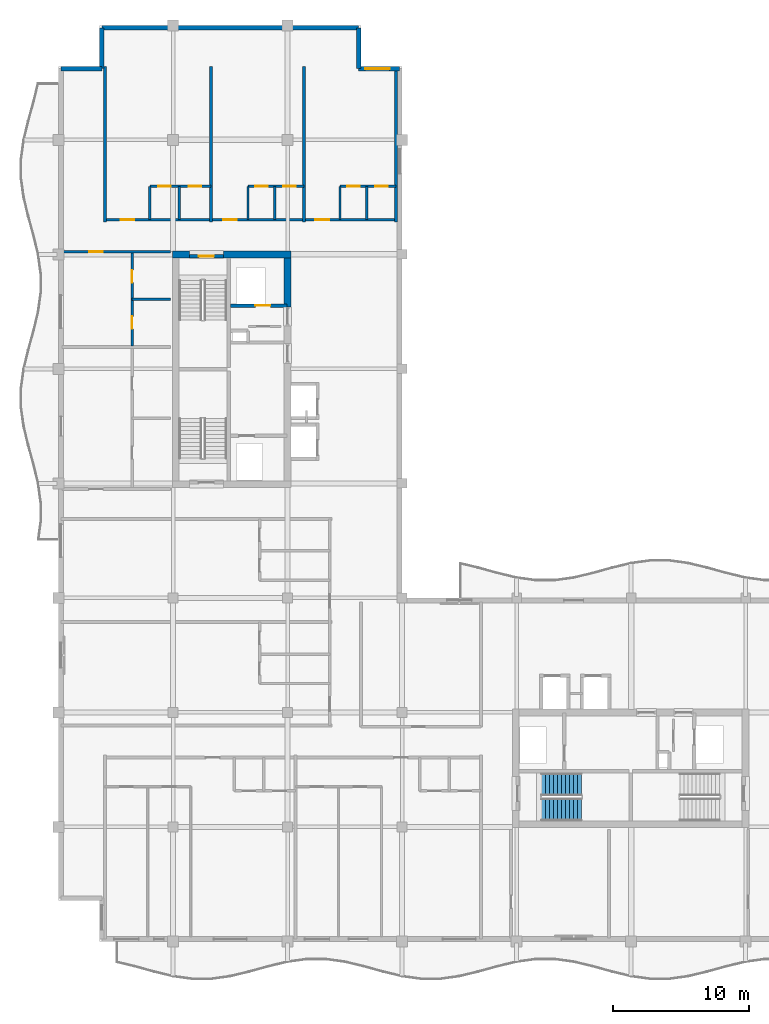
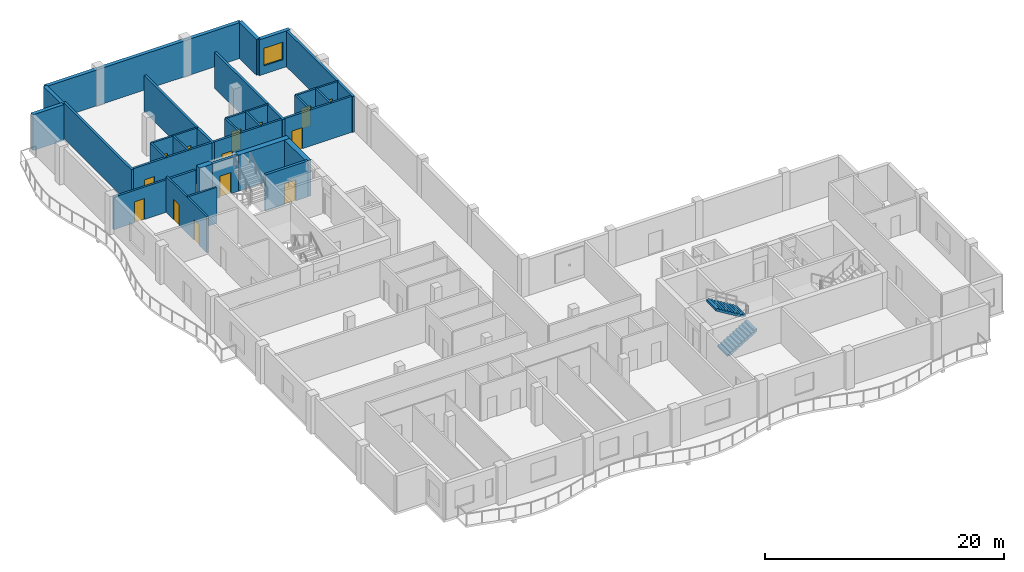
# One storey, part 7 of 12: 27 walls, 14 doors, 2 stair flights, 1 window, 15 openings, 1 element without a shape of its own.
"""IFC4 building model written with IfcOpenShell, lengths in metres."""

from ifc_helpers import new_model, si_unit, direction, frame, frame_2d, origin, place, context, subcontext, project, spatial, polyline, rectangle, outline, extrude, material, layer, layer_set, type_object, element, fill, aggregate, save


model = new_model("IFC4")

# Units and contexts
model_context = context("Model", 3, precision=1e-05, world=origin(), true_north=direction((0.0, 1.0)))
body_context = subcontext(model_context, "Body", "Model", "MODEL_VIEW")
ifc_project = project(units=[si_unit("LENGTHUNIT", "METRE"), si_unit("AREAUNIT", "SQUARE_METRE"), si_unit("VOLUMEUNIT", "CUBIC_METRE"), si_unit("PLANEANGLEUNIT", "RADIAN"), si_unit("MASSUNIT", "GRAM", prefix="KILO")], contexts=[model_context])

# Site, building, storey
site_placement = place(None, origin())
site = spatial("IfcSite", under=ifc_project, at=site_placement, CompositionType="ELEMENT")
building_placement = place(site_placement, origin())
building = spatial("IfcBuilding", under=site, at=building_placement, Name="Koriwani Terraces Tower", CompositionType="ELEMENT")
storey_placement = place(building_placement, frame((0.0, 0.0, 328.10009765625)))
storey = spatial("IfcBuildingStorey", under=building, at=storey_placement, Name="L81", CompositionType="ELEMENT", Elevation=328.10009765625)

# Walls
ifc_material_1 = material(Name="Concrete C50/60", Category="concrete")
ifc_layer_1 = layer(ifc_material_1, 0.5, Name="Concrete C50/60")
ifc_layer_set_1 = layer_set([ifc_layer_1], Name="Concrete C50/60")
wall_type_1 = type_object("IfcWallType", Name="WALL_CORE_RC_500", PredefinedType="SHEAR", material=ifc_layer_set_1)
wall_1_placement = place(storey_placement, frame((16.75, 58.800048828125, 0.0), z_axis=(0.0, 0.0, 1.0), x_axis=(1.0, 0.0, 0.0)))
element("IfcWall", 1, at=wall_1_placement, inside=storey, type_object=wall_type_1, Name="L81 West Split Core Shear Wall N1", PredefinedType="SHEAR", context=body_context, shape_type="SweptSolid", body=[
    extrude(rectangle(XDim=1.25, YDim=0.5, at=frame_2d((0.625, 0.0))), origin(), (0.0, 0.0, 1.0), 3.669921875),
])
wall_2_placement = place(storey_placement, frame((20.5, 58.800048828125, 0.0), z_axis=(0.0, 0.0, 1.0), x_axis=(1.0, 0.0, 0.0)))
element("IfcWall", 2, at=wall_2_placement, inside=storey, type_object=wall_type_1, Name="L81 West Split Core Shear Wall N2", PredefinedType="SHEAR", context=body_context, shape_type="SweptSolid", body=[
    extrude(rectangle(XDim=4.949951171875, YDim=0.5, at=frame_2d((2.47509765625, 0.0))), origin(), (0.0, 0.0, 1.0), 3.669921875),
])
wall_3_placement = place(storey_placement, frame((25.199951171875, 54.949951171875, 0.0), z_axis=(0.0, 0.0, 1.0), x_axis=(0.0, 1.0, 0.0)))
element("IfcWall", 3, at=wall_3_placement, inside=storey, type_object=wall_type_1, Name="L81 West Split Core Shear Wall E3", PredefinedType="SHEAR", context=body_context, shape_type="SweptSolid", body=[
    extrude(rectangle(XDim=3.60009765625, YDim=0.5, at=frame_2d((1.800048828125, 0.0))), origin(), (0.0, 0.0, 1.0), 3.669921875),
])

# Wall, opening, door
ifc_material_2 = material(Name="Autoclaved Cellular Concrete Blockwork", Category="masonry")
ifc_layer_2 = layer(ifc_material_2, 0.199951171875, Name="Autoclaved Cellular Concrete Blockwork")
ifc_layer_set_2 = layer_set([ifc_layer_2], Name="Autoclaved Cellular Concrete Blockwork")
wall_type_2 = type_object("IfcWallType", Name="WALL_CORRIDOR_200", PredefinedType="PARTITIONING", material=ifc_layer_set_2)
wall_4_placement = place(storey_placement, frame((8.64990234375, 59.0, 0.0), z_axis=(0.0, 0.0, 1.0), x_axis=(1.0, 0.0, 0.0)))
wall_4 = element("IfcWall", 4, at=wall_4_placement, inside=storey, type_object=wall_type_2, Name="L81 Interior Wall WRZ4-WN-L81", PredefinedType="PARTITIONING", context=body_context, shape_type="SweptSolid", body=[
    extrude(rectangle(XDim=7.9501953125, YDim=0.199951171875, at=frame_2d((3.97509765625, 0.0))), origin(), (0.0, 0.0, 1.0), 3.31591796875),
])
opening_1_placement = place(wall_4_placement, frame((2.0, 0.0, 0.0)))
opening_1 = element("IfcOpeningElement", 5, at=opening_1_placement, cuts=wall_4, Name="Opening D-05", PredefinedType="OPENING", context=body_context, shape_type="SweptSolid", body=[
    extrude(rectangle(XDim=1.0, YDim=2.14990234375, at=frame_2d((0.5, 1.074951171875))), frame((0.0, 0.10986328125, 0.0), z_axis=(0.0, -1.0, 0.0), x_axis=(1.0, 0.0, 0.0)), (0.0, 0.0, 1.0), 0.219970703125),
])
ifc_material_3 = material(Name="Architectural Oak Fire Door", Category="wood")
door_type_1 = type_object("IfcDoorType", Name="DOOR_SUITE_ENTRY_1000X2150", OperationType="NOTDEFINED", PredefinedType="DOOR", material=ifc_material_3)
door_1_placement = place(opening_1_placement, origin())
door_1 = element("IfcDoor", 6, at=door_1_placement, inside=storey, type_object=door_type_1, Name="Apartment 81RW2 Entrance Door", OperationType="SINGLE_SWING_LEFT", OverallHeight=2.14990234375, OverallWidth=1.0, PredefinedType="DOOR", context=body_context, shape_type="SweptSolid", body=[
    extrude(rectangle(XDim=1.0, YDim=2.14990234375, at=frame_2d((0.5, 1.074951171875))), frame((0.0, 0.02490234375, 0.0), z_axis=(0.0, -1.0, 0.0), x_axis=(1.0, 0.0, 0.0)), (0.0, 0.0, 1.0), 0.050048828125),
])
fill(opening_1, door_1)

# Wall, openings, doors
wall_5_placement = place(storey_placement, frame((11.800048828125, 61.35009765625, 0.0), z_axis=(0.0, 0.0, 1.0), x_axis=(1.0, 0.0, 0.0)))
wall_5 = element("IfcWall", 7, at=wall_5_placement, inside=storey, type_object=wall_type_2, Name="L81 Interior Wall WRCOR-L81-NTS-0", PredefinedType="PARTITIONING", context=body_context, shape_type="SweptSolid", body=[
    extrude(rectangle(XDim=21.349853515625, YDim=0.199951171875, at=frame_2d((10.6748046875, 0.0))), origin(), (0.0, 0.0, 1.0), 3.669921875),
])
opening_2_placement = place(wall_5_placement, frame((1.169921875, 0.0, 0.0)))
opening_2 = element("IfcOpeningElement", 8, at=opening_2_placement, cuts=wall_5, Name="Opening D-05", PredefinedType="OPENING", context=body_context, shape_type="SweptSolid", body=[
    extrude(rectangle(XDim=1.0, YDim=2.14990234375, at=frame_2d((0.5, 1.074951171875))), frame((0.0, 0.10986328125, 0.0), z_axis=(0.0, -1.0, 0.0), x_axis=(1.0, 0.0, 0.0)), (0.0, 0.0, 1.0), 0.219970703125),
])
opening_3_placement = place(wall_5_placement, frame((8.669921875, 0.0, 0.0)))
opening_3 = element("IfcOpeningElement", 9, at=opening_3_placement, cuts=wall_5, Name="Opening D-05", PredefinedType="OPENING", context=body_context, shape_type="SweptSolid", body=[
    extrude(rectangle(XDim=1.0, YDim=2.14990234375, at=frame_2d((0.5, 1.074951171875))), frame((0.0, 0.10986328125, 0.0), z_axis=(0.0, -1.0, 0.0), x_axis=(1.0, 0.0, 0.0)), (0.0, 0.0, 1.0), 0.219970703125),
])
opening_4_placement = place(wall_5_placement, frame((15.445068359375, 0.0, 0.0)))
opening_4 = element("IfcOpeningElement", 10, at=opening_4_placement, cuts=wall_5, Name="Opening D-05", PredefinedType="OPENING", context=body_context, shape_type="SweptSolid", body=[
    extrude(rectangle(XDim=1.0, YDim=2.14990234375, at=frame_2d((0.5, 1.074951171875))), frame((0.0, 0.10986328125, 0.0), z_axis=(0.0, -1.0, 0.0), x_axis=(1.0, 0.0, 0.0)), (0.0, 0.0, 1.0), 0.219970703125),
])
door_2_placement = place(opening_2_placement, origin())
door_2 = element("IfcDoor", 11, at=door_2_placement, inside=storey, type_object=door_type_1, Name="Apartment 81NTS1 Entrance Door", OperationType="SINGLE_SWING_RIGHT", OverallHeight=2.14990234375, OverallWidth=1.0, PredefinedType="DOOR", context=body_context, shape_type="SweptSolid", body=[
    extrude(rectangle(XDim=1.0, YDim=2.14990234375, at=frame_2d((0.5, 1.074951171875))), frame((0.0, 0.02490234375, 0.0), z_axis=(0.0, -1.0, 0.0), x_axis=(1.0, 0.0, 0.0)), (0.0, 0.0, 1.0), 0.050048828125),
])
fill(opening_2, door_2)
door_3_placement = place(opening_3_placement, origin())
door_3 = element("IfcDoor", 12, at=door_3_placement, inside=storey, type_object=door_type_1, Name="Apartment 81NTS2 Entrance Door", OperationType="SINGLE_SWING_LEFT", OverallHeight=2.14990234375, OverallWidth=1.0, PredefinedType="DOOR", context=body_context, shape_type="SweptSolid", body=[
    extrude(rectangle(XDim=1.0, YDim=2.14990234375, at=frame_2d((0.5, 1.074951171875))), frame((0.0, 0.02490234375, 0.0), z_axis=(0.0, -1.0, 0.0), x_axis=(1.0, 0.0, 0.0)), (0.0, 0.0, 1.0), 0.050048828125),
])
fill(opening_3, door_3)
door_4_placement = place(opening_4_placement, origin())
door_4 = element("IfcDoor", 13, at=door_4_placement, inside=storey, type_object=door_type_1, Name="Apartment 81NTS3 Entrance Door", OperationType="SINGLE_SWING_RIGHT", OverallHeight=2.14990234375, OverallWidth=1.0, PredefinedType="DOOR", context=body_context, shape_type="SweptSolid", body=[
    extrude(rectangle(XDim=1.0, YDim=2.14990234375, at=frame_2d((0.5, 1.074951171875))), frame((0.0, 0.02490234375, 0.0), z_axis=(0.0, -1.0, 0.0), x_axis=(1.0, 0.0, 0.0)), (0.0, 0.0, 1.0), 0.050048828125),
])
fill(opening_4, door_4)

# Walls
ifc_layer_3 = layer(ifc_material_2, 0.219970703125, Name="Autoclaved Cellular Concrete Blockwork")
ifc_layer_set_3 = layer_set([ifc_layer_3], Name="Autoclaved Cellular Concrete Blockwork")
wall_type_3 = type_object("IfcWallType", Name="WALL_DEMISING_220", PredefinedType="PARTITIONING", material=ifc_layer_set_3)
for number, where, z_axis, x_axis, name in (
    (14, (11.800048828125, 61.199951171875, 0.0), (0.0, 0.0, 1.0), (0.0, 1.0, 0.0), "L81 Interior Wall WRDEM-L81-NTS-0"),
    (15, (19.60009765625, 61.199951171875, 0.0), (0.0, 0.0, 1.0), (0.0, 1.0, 0.0), "L81 Interior Wall WRDEM-L81-NTS-1"),
    (16, (26.39990234375, 61.199951171875, 0.0), (0.0, 0.0, 1.0), (0.0, 1.0, 0.0), "L81 Interior Wall WRDEM-L81-NTS-2"),
    (17, (33.14990234375, 61.199951171875, 0.0), (0.0, 0.0, 1.0), (0.0, 1.0, 0.0), "L81 Interior Wall WRDEME-L81-NTS"),
):
    element("IfcWall", number, at=place(storey_placement, frame(where, z_axis=z_axis, x_axis=x_axis)), inside=storey, type_object=wall_type_3, Name=name, PredefinedType="PARTITIONING", context=body_context, shape_type="SweptSolid", body=[
        extrude(rectangle(XDim=11.380126953125, YDim=0.219970703125, at=frame_2d((5.68994140625, 0.0))), origin(), (0.0, 0.0, 1.0), 3.669921875),
    ])
ifc_layer_4 = layer(ifc_material_1, 0.35009765625, Name="Concrete C50/60")
ifc_layer_set_4 = layer_set([ifc_layer_4], Name="Concrete C50/60")
wall_type_4 = type_object("IfcWallType", Name="WALL_EXT_BRUTALIST_350", PredefinedType="STANDARD", material=ifc_layer_set_4)
for number, where, z_axis, x_axis, name in (
    (18, (8.574951171875, 72.425048828125, 0.0), (0.0, 0.0, 1.0), (1.0, 0.0, 0.0), "L81 Fair-Faced Brutalist Exterior Wall (N3)"),
    (19, (11.574951171875, 72.425048828125, 0.0), (0.0, 0.0, 1.0), (0.0, 1.0, 0.0), "L81 Fair-Faced Brutalist Exterior Wall (N4)"),
):
    element("IfcWall", number, at=place(storey_placement, frame(where, z_axis=z_axis, x_axis=x_axis)), inside=storey, type_object=wall_type_4, Name=name, PredefinedType="STANDARD", context=body_context, shape_type="SweptSolid", body=[
        extrude(rectangle(XDim=3.0, YDim=0.35009765625, at=frame_2d((1.5, 0.0))), origin(), (0.0, 0.0, 1.0), 3.669921875),
    ])
wall_6_placement = place(storey_placement, frame((11.574951171875, 75.425048828125, 0.0), z_axis=(0.0, 0.0, 1.0), x_axis=(1.0, 0.0, 0.0)))
element("IfcWall", 20, at=wall_6_placement, inside=storey, type_object=wall_type_4, Name="L81 Fair-Faced Brutalist Exterior Wall (N_TIP)", PredefinedType="STANDARD", context=body_context, shape_type="SweptSolid", body=[
    extrude(rectangle(XDim=18.85009765625, YDim=0.35009765625, at=frame_2d((9.425048828125, 0.0))), origin(), (0.0, 0.0, 1.0), 3.669921875),
])
wall_7_placement = place(storey_placement, frame((30.425048828125, 75.425048828125, 0.0), z_axis=(0.0, 0.0, 1.0), x_axis=(0.0, -1.0, 0.0)))
element("IfcWall", 21, at=wall_7_placement, inside=storey, type_object=wall_type_4, Name="L81 Fair-Faced Brutalist Exterior Wall (N6)", PredefinedType="STANDARD", context=body_context, shape_type="SweptSolid", body=[
    extrude(rectangle(XDim=3.0, YDim=0.35009765625, at=frame_2d((1.5, 0.0))), origin(), (0.0, 0.0, 1.0), 3.669921875),
])

# Wall, opening, window
wall_8_placement = place(storey_placement, frame((30.425048828125, 72.425048828125, 0.0), z_axis=(0.0, 0.0, 1.0), x_axis=(1.0, 0.0, 0.0)))
wall_8 = element("IfcWall", 22, at=wall_8_placement, inside=storey, type_object=wall_type_4, Name="L81 Fair-Faced Brutalist Exterior Wall (N7)", PredefinedType="STANDARD", context=body_context, shape_type="SweptSolid", body=[
    extrude(rectangle(XDim=3.0, YDim=0.35009765625, at=frame_2d((1.5, 0.0))), origin(), (0.0, 0.0, 1.0), 3.669921875),
])
opening_5_placement = place(wall_8_placement, frame((0.472412109375, 0.0, 0.85009765625)))
opening_5 = element("IfcOpeningElement", 23, at=opening_5_placement, cuts=wall_8, Name="Opening W-04", PredefinedType="OPENING", context=body_context, shape_type="SweptSolid", body=[
    extrude(rectangle(XDim=1.800048828125, YDim=1.800048828125, at=frame_2d((0.89990234375, 0.89990234375))), frame((0.0, 0.18505859375, 0.0), z_axis=(0.0, -1.0, 0.0), x_axis=(1.0, 0.0, 0.0)), (0.0, 0.0, 1.0), 0.3701171875),
])
ifc_material_4 = material(Name="Tempered Laminated Low-E Glass", Category="glass")
window_type = type_object("IfcWindowType", Name="WIN_RES_BED_1800X1800", PartitioningType="DOUBLE_PANEL_VERTICAL", PredefinedType="WINDOW", material=ifc_material_4)
window_placement = place(opening_5_placement, origin())
window = element("IfcWindow", 24, at=window_placement, inside=storey, type_object=window_type, Name="L81 Exterior Window (N7-R54)", OverallHeight=1.800048828125, OverallWidth=1.800048828125, PartitioningType="SINGLE_PANEL", PredefinedType="WINDOW", context=body_context, shape_type="SweptSolid", body=[
    extrude(rectangle(XDim=1.800048828125, YDim=1.800048828125, at=frame_2d((0.89990234375, 0.89990234375))), frame((0.0, 0.030029296875, 0.0), z_axis=(0.0, -1.0, 0.0), x_axis=(1.0, 0.0, 0.0)), (0.0, 0.0, 1.0), 0.06005859375),
])
fill(opening_5, window)

# Wall, openings, doors
ifc_material_5 = material(Name="Fire-Rated Acoustic Gypsum Partition", Category="masonry")
ifc_layer_5 = layer(ifc_material_5, 0.179931640625, Name="Fire-Rated Acoustic Gypsum Partition")
ifc_layer_set_5 = layer_set([ifc_layer_5], Name="Fire-Rated Acoustic Gypsum Partition")
wall_type_5 = type_object("IfcWallType", Name="WALL_PLUMBING_180", PredefinedType="PLUMBINGWALL", material=ifc_layer_set_5)
wall_9_placement = place(storey_placement, frame((13.800048828125, 52.10009765625, 0.0), z_axis=(0.0, 0.0, 1.0), x_axis=(0.0, 1.0, 0.0)))
wall_9 = element("IfcWall", 25, at=wall_9_placement, inside=storey, type_object=wall_type_5, Name="L81 Interior Wall WRZ4-RW2-PB-L81", PredefinedType="PLUMBINGWALL", context=body_context, shape_type="SweptSolid", body=[
    extrude(rectangle(XDim=6.7998046875, YDim=0.179931640625, at=frame_2d((3.39990234375, 0.0))), origin(), (0.0, 0.0, 1.0), 3.669921875),
])
opening_6_placement = place(wall_9_placement, frame((1.25, 0.0, 0.0)))
opening_6 = element("IfcOpeningElement", 26, at=opening_6_placement, cuts=wall_9, Name="Opening D-07", PredefinedType="OPENING", context=body_context, shape_type="SweptSolid", body=[
    extrude(rectangle(XDim=0.89990234375, YDim=2.10009765625, at=frame_2d((0.449951171875, 1.050048828125))), frame((0.0, 0.10009765625, 0.0), z_axis=(0.0, -1.0, 0.0), x_axis=(1.0, 0.0, 0.0)), (0.0, 0.0, 1.0), 0.199951171875),
])
opening_7_placement = place(wall_9_placement, frame((4.639892578125, 0.0, 0.0)))
opening_7 = element("IfcOpeningElement", 27, at=opening_7_placement, cuts=wall_9, Name="Opening D-06", PredefinedType="OPENING", context=body_context, shape_type="SweptSolid", body=[
    extrude(rectangle(XDim=0.919921875, YDim=2.10009765625, at=frame_2d((0.4599609375, 1.050048828125))), frame((0.0, 0.10009765625, 0.0), z_axis=(0.0, -1.0, 0.0), x_axis=(1.0, 0.0, 0.0)), (0.0, 0.0, 1.0), 0.199951171875),
])
door_type_2 = type_object("IfcDoorType", Name="DOOR_BATH_INT_900X2100", OperationType="NOTDEFINED", PredefinedType="DOOR", material=ifc_material_3)
door_5_placement = place(opening_6_placement, origin())
door_5 = element("IfcDoor", 28, at=door_5_placement, inside=storey, type_object=door_type_2, Name="Apartment 81RW2 Bathroom Door", OperationType="SINGLE_SWING_RIGHT", OverallHeight=2.10009765625, OverallWidth=0.89990234375, PredefinedType="DOOR", context=body_context, shape_type="SweptSolid", body=[
    extrude(rectangle(XDim=0.89990234375, YDim=2.10009765625, at=frame_2d((0.449951171875, 1.050048828125))), frame((0.0, 0.02490234375, 0.0), z_axis=(0.0, -1.0, 0.0), x_axis=(1.0, 0.0, 0.0)), (0.0, 0.0, 1.0), 0.050048828125),
])
fill(opening_6, door_5)
door_type_3 = type_object("IfcDoorType", Name="DOOR_ROOM_INT_920X2100", OperationType="NOTDEFINED", PredefinedType="DOOR", material=ifc_material_3)
door_6_placement = place(opening_7_placement, origin())
door_6 = element("IfcDoor", 29, at=door_6_placement, inside=storey, type_object=door_type_3, Name="Apartment 81RW2 Kitchen Door", OperationType="SINGLE_SWING_LEFT", OverallHeight=2.10009765625, OverallWidth=0.919921875, PredefinedType="DOOR", context=body_context, shape_type="SweptSolid", body=[
    extrude(rectangle(XDim=0.919921875, YDim=2.10009765625, at=frame_2d((0.4599609375, 1.050048828125))), frame((0.0, 0.02490234375, 0.0), z_axis=(0.0, -1.0, 0.0), x_axis=(1.0, 0.0, 0.0)), (0.0, 0.0, 1.0), 0.050048828125),
])
fill(opening_7, door_6)

# Wall
wall_10_placement = place(storey_placement, frame((13.800048828125, 55.5, 0.0), z_axis=(0.0, 0.0, 1.0), x_axis=(1.0, 0.0, 0.0)))
element("IfcWall", 30, at=wall_10_placement, inside=storey, type_object=wall_type_5, Name="L81 Interior Wall WRZ4-RW2-P2-L81", PredefinedType="PLUMBINGWALL", context=body_context, shape_type="SweptSolid", body=[
    extrude(rectangle(XDim=2.800048828125, YDim=0.179931640625, at=frame_2d((1.39990234375, 0.0))), origin(), (0.0, 0.0, 1.0), 3.669921875),
])

# Wall, openings, doors
wall_11_placement = place(storey_placement, frame((15.10009765625, 63.800048828125, 0.0), z_axis=(0.0, 0.0, 1.0), x_axis=(1.0, 0.0, 0.0)))
wall_11 = element("IfcWall", 31, at=wall_11_placement, inside=storey, type_object=wall_type_5, Name="L81 Interior Wall WRSVC-L81-NTS-0", PredefinedType="PLUMBINGWALL", context=body_context, shape_type="SweptSolid", body=[
    extrude(rectangle(XDim=4.5, YDim=0.179931640625, at=frame_2d((2.25, 0.0))), origin(), (0.0, 0.0, 1.0), 3.669921875),
])
opening_8_placement = place(wall_11_placement, frame((0.6298828125, 0.0, 0.0)))
opening_8 = element("IfcOpeningElement", 32, at=opening_8_placement, cuts=wall_11, Name="Opening D-07", PredefinedType="OPENING", context=body_context, shape_type="SweptSolid", body=[
    extrude(rectangle(XDim=0.89990234375, YDim=2.10009765625, at=frame_2d((0.449951171875, 1.050048828125))), frame((0.0, 0.10009765625, 0.0), z_axis=(0.0, -1.0, 0.0), x_axis=(1.0, 0.0, 0.0)), (0.0, 0.0, 1.0), 0.199951171875),
])
opening_9_placement = place(wall_11_placement, frame((2.8701171875, 0.0, 0.0)))
opening_9 = element("IfcOpeningElement", 33, at=opening_9_placement, cuts=wall_11, Name="Opening D-06", PredefinedType="OPENING", context=body_context, shape_type="SweptSolid", body=[
    extrude(rectangle(XDim=0.919921875, YDim=2.10009765625, at=frame_2d((0.4599609375, 1.050048828125))), frame((0.0, 0.10009765625, 0.0), z_axis=(0.0, -1.0, 0.0), x_axis=(1.0, 0.0, 0.0)), (0.0, 0.0, 1.0), 0.199951171875),
])
door_7_placement = place(opening_8_placement, origin())
door_7 = element("IfcDoor", 34, at=door_7_placement, inside=storey, type_object=door_type_2, Name="Apartment 81NTS1 Bathroom Door", OperationType="SINGLE_SWING_LEFT", OverallHeight=2.10009765625, OverallWidth=0.89990234375, PredefinedType="DOOR", context=body_context, shape_type="SweptSolid", body=[
    extrude(rectangle(XDim=0.89990234375, YDim=2.10009765625, at=frame_2d((0.449951171875, 1.050048828125))), frame((0.0, 0.02490234375, 0.0), z_axis=(0.0, -1.0, 0.0), x_axis=(1.0, 0.0, 0.0)), (0.0, 0.0, 1.0), 0.050048828125),
])
fill(opening_8, door_7)
door_8_placement = place(opening_9_placement, origin())
door_8 = element("IfcDoor", 35, at=door_8_placement, inside=storey, type_object=door_type_3, Name="Apartment 81NTS1 Kitchen Door", OperationType="SINGLE_SWING_RIGHT", OverallHeight=2.10009765625, OverallWidth=0.919921875, PredefinedType="DOOR", context=body_context, shape_type="SweptSolid", body=[
    extrude(rectangle(XDim=0.919921875, YDim=2.10009765625, at=frame_2d((0.4599609375, 1.050048828125))), frame((0.0, 0.02490234375, 0.0), z_axis=(0.0, -1.0, 0.0), x_axis=(1.0, 0.0, 0.0)), (0.0, 0.0, 1.0), 0.050048828125),
])
fill(opening_9, door_8)

# Walls
for number, where, z_axis, x_axis, name in (
    (36, (15.10009765625, 61.35009765625, 0.0), (0.0, 0.0, 1.0), (0.0, 1.0, 0.0), "L81 Interior Wall WRSVCS-L81-NTS-0"),
    (37, (17.260009765625, 61.35009765625, 0.0), (0.0, 0.0, 1.0), (0.0, 1.0, 0.0), "L81 Interior Wall WRSVCM-L81-NTS-0"),
):
    element("IfcWall", number, at=place(storey_placement, frame(where, z_axis=z_axis, x_axis=x_axis)), inside=storey, type_object=wall_type_5, Name=name, PredefinedType="PLUMBINGWALL", context=body_context, shape_type="SweptSolid", body=[
        extrude(rectangle(XDim=2.449951171875, YDim=0.179931640625, at=frame_2d((1.22509765625, 0.0))), origin(), (0.0, 0.0, 1.0), 3.669921875),
    ])

# Wall, openings, doors
wall_12_placement = place(storey_placement, frame((22.300048828125, 63.800048828125, 0.0), z_axis=(0.0, 0.0, 1.0), x_axis=(1.0, 0.0, 0.0)))
wall_12 = element("IfcWall", 38, at=wall_12_placement, inside=storey, type_object=wall_type_5, Name="L81 Interior Wall WRSVC-L81-NTS-1", PredefinedType="PLUMBINGWALL", context=body_context, shape_type="SweptSolid", body=[
    extrude(rectangle(XDim=4.099853515625, YDim=0.179931640625, at=frame_2d((2.0498046875, 0.0))), origin(), (0.0, 0.0, 1.0), 3.669921875),
])
opening_10_placement = place(wall_12_placement, frame((0.533935546875, 0.0, 0.0)))
opening_10 = element("IfcOpeningElement", 39, at=opening_10_placement, cuts=wall_12, Name="Opening D-07", PredefinedType="OPENING", context=body_context, shape_type="SweptSolid", body=[
    extrude(rectangle(XDim=0.89990234375, YDim=2.10009765625, at=frame_2d((0.449951171875, 1.050048828125))), frame((0.0, 0.10009765625, 0.0), z_axis=(0.0, -1.0, 0.0), x_axis=(1.0, 0.0, 0.0)), (0.0, 0.0, 1.0), 0.199951171875),
])
opening_11_placement = place(wall_12_placement, frame((2.573974609375, 0.0, 0.0)))
opening_11 = element("IfcOpeningElement", 40, at=opening_11_placement, cuts=wall_12, Name="Opening D-06", PredefinedType="OPENING", context=body_context, shape_type="SweptSolid", body=[
    extrude(rectangle(XDim=0.919921875, YDim=2.10009765625, at=frame_2d((0.4599609375, 1.050048828125))), frame((0.0, 0.10009765625, 0.0), z_axis=(0.0, -1.0, 0.0), x_axis=(1.0, 0.0, 0.0)), (0.0, 0.0, 1.0), 0.199951171875),
])
door_9_placement = place(opening_10_placement, origin())
door_9 = element("IfcDoor", 41, at=door_9_placement, inside=storey, type_object=door_type_2, Name="Apartment 81NTS2 Bathroom Door", OperationType="SINGLE_SWING_RIGHT", OverallHeight=2.10009765625, OverallWidth=0.89990234375, PredefinedType="DOOR", context=body_context, shape_type="SweptSolid", body=[
    extrude(rectangle(XDim=0.89990234375, YDim=2.10009765625, at=frame_2d((0.449951171875, 1.050048828125))), frame((0.0, 0.02490234375, 0.0), z_axis=(0.0, -1.0, 0.0), x_axis=(1.0, 0.0, 0.0)), (0.0, 0.0, 1.0), 0.050048828125),
])
fill(opening_10, door_9)
door_10_placement = place(opening_11_placement, origin())
door_10 = element("IfcDoor", 42, at=door_10_placement, inside=storey, type_object=door_type_3, Name="Apartment 81NTS2 Kitchen Door", OperationType="SINGLE_SWING_LEFT", OverallHeight=2.10009765625, OverallWidth=0.919921875, PredefinedType="DOOR", context=body_context, shape_type="SweptSolid", body=[
    extrude(rectangle(XDim=0.919921875, YDim=2.10009765625, at=frame_2d((0.4599609375, 1.050048828125))), frame((0.0, 0.02490234375, 0.0), z_axis=(0.0, -1.0, 0.0), x_axis=(1.0, 0.0, 0.0)), (0.0, 0.0, 1.0), 0.050048828125),
])
fill(opening_11, door_10)

# Walls
for number, where, z_axis, x_axis, name in (
    (43, (22.300048828125, 61.35009765625, 0.0), (0.0, 0.0, 1.0), (0.0, 1.0, 0.0), "L81 Interior Wall WRSVCS-L81-NTS-1"),
    (44, (24.26806640625, 61.35009765625, 0.0), (0.0, 0.0, 1.0), (0.0, 1.0, 0.0), "L81 Interior Wall WRSVCM-L81-NTS-1"),
):
    element("IfcWall", number, at=place(storey_placement, frame(where, z_axis=z_axis, x_axis=x_axis)), inside=storey, type_object=wall_type_5, Name=name, PredefinedType="PLUMBINGWALL", context=body_context, shape_type="SweptSolid", body=[
        extrude(rectangle(XDim=2.449951171875, YDim=0.179931640625, at=frame_2d((1.22509765625, 0.0))), origin(), (0.0, 0.0, 1.0), 3.669921875),
    ])

# Wall, openings, doors
wall_13_placement = place(storey_placement, frame((29.050048828125, 63.800048828125, 0.0), z_axis=(0.0, 0.0, 1.0), x_axis=(1.0, 0.0, 0.0)))
wall_13 = element("IfcWall", 45, at=wall_13_placement, inside=storey, type_object=wall_type_5, Name="L81 Interior Wall WRSVC-L81-NTS-2", PredefinedType="PLUMBINGWALL", context=body_context, shape_type="SweptSolid", body=[
    extrude(rectangle(XDim=4.099853515625, YDim=0.179931640625, at=frame_2d((2.0498046875, 0.0))), origin(), (0.0, 0.0, 1.0), 3.669921875),
])
opening_12_placement = place(wall_13_placement, frame((0.533935546875, 0.0, 0.0)))
opening_12 = element("IfcOpeningElement", 46, at=opening_12_placement, cuts=wall_13, Name="Opening D-07", PredefinedType="OPENING", context=body_context, shape_type="SweptSolid", body=[
    extrude(rectangle(XDim=0.89990234375, YDim=2.10009765625, at=frame_2d((0.449951171875, 1.050048828125))), frame((0.0, 0.10009765625, 0.0), z_axis=(0.0, -1.0, 0.0), x_axis=(1.0, 0.0, 0.0)), (0.0, 0.0, 1.0), 0.199951171875),
])
opening_13_placement = place(wall_13_placement, frame((2.573974609375, 0.0, 0.0)))
opening_13 = element("IfcOpeningElement", 47, at=opening_13_placement, cuts=wall_13, Name="Opening D-06", PredefinedType="OPENING", context=body_context, shape_type="SweptSolid", body=[
    extrude(rectangle(XDim=0.919921875, YDim=2.10009765625, at=frame_2d((0.4599609375, 1.050048828125))), frame((0.0, 0.10009765625, 0.0), z_axis=(0.0, -1.0, 0.0), x_axis=(1.0, 0.0, 0.0)), (0.0, 0.0, 1.0), 0.199951171875),
])
door_11_placement = place(opening_12_placement, origin())
door_11 = element("IfcDoor", 48, at=door_11_placement, inside=storey, type_object=door_type_2, Name="Apartment 81NTS3 Bathroom Door", OperationType="SINGLE_SWING_LEFT", OverallHeight=2.10009765625, OverallWidth=0.89990234375, PredefinedType="DOOR", context=body_context, shape_type="SweptSolid", body=[
    extrude(rectangle(XDim=0.89990234375, YDim=2.10009765625, at=frame_2d((0.449951171875, 1.050048828125))), frame((0.0, 0.02490234375, 0.0), z_axis=(0.0, -1.0, 0.0), x_axis=(1.0, 0.0, 0.0)), (0.0, 0.0, 1.0), 0.050048828125),
])
fill(opening_12, door_11)
door_12_placement = place(opening_13_placement, origin())
door_12 = element("IfcDoor", 49, at=door_12_placement, inside=storey, type_object=door_type_3, Name="Apartment 81NTS3 Kitchen Door", OperationType="SINGLE_SWING_RIGHT", OverallHeight=2.10009765625, OverallWidth=0.919921875, PredefinedType="DOOR", context=body_context, shape_type="SweptSolid", body=[
    extrude(rectangle(XDim=0.919921875, YDim=2.10009765625, at=frame_2d((0.4599609375, 1.050048828125))), frame((0.0, 0.02490234375, 0.0), z_axis=(0.0, -1.0, 0.0), x_axis=(1.0, 0.0, 0.0)), (0.0, 0.0, 1.0), 0.050048828125),
])
fill(opening_13, door_12)

# Walls
for number, where, z_axis, x_axis, name in (
    (50, (29.050048828125, 61.35009765625, 0.0), (0.0, 0.0, 1.0), (0.0, 1.0, 0.0), "L81 Interior Wall WRSVCS-L81-NTS-2"),
    (51, (31.01806640625, 61.35009765625, 0.0), (0.0, 0.0, 1.0), (0.0, 1.0, 0.0), "L81 Interior Wall WRSVCM-L81-NTS-2"),
):
    element("IfcWall", number, at=place(storey_placement, frame(where, z_axis=z_axis, x_axis=x_axis)), inside=storey, type_object=wall_type_5, Name=name, PredefinedType="PLUMBINGWALL", context=body_context, shape_type="SweptSolid", body=[
        extrude(rectangle(XDim=2.449951171875, YDim=0.179931640625, at=frame_2d((1.22509765625, 0.0))), origin(), (0.0, 0.0, 1.0), 3.669921875),
    ])

# Wall, opening, door
ifc_material_6 = material(Name="Concrete C40/50", Category="concrete")
ifc_layer_6 = layer(ifc_material_6, 0.25, Name="Concrete C40/50")
ifc_layer_set_6 = layer_set([ifc_layer_6], Name="Concrete C40/50")
wall_type_6 = type_object("IfcWallType", Name="WALL_SHAFT_RATED_250", PredefinedType="SOLIDWALL", material=ifc_layer_set_6)
wall_14_placement = place(storey_placement, frame((18.0, 58.675048828125, 0.0), z_axis=(0.0, 0.0, 1.0), x_axis=(1.0, 0.0, 0.0)))
wall_14 = element("IfcWall", 52, at=wall_14_placement, inside=storey, type_object=wall_type_6, Name="L81 Interior Wall WIN-CW-L81-STN", PredefinedType="SOLIDWALL", context=body_context, shape_type="SweptSolid", body=[
    extrude(rectangle(XDim=2.5, YDim=0.25, at=frame_2d((1.25, 0.0))), origin(), (0.0, 0.0, 1.0), 3.669921875),
])
opening_14_placement = place(wall_14_placement, frame((0.699951171875, 0.0, 0.0)))
opening_14 = element("IfcOpeningElement", 53, at=opening_14_placement, cuts=wall_14, Name="Opening D-03", PredefinedType="OPENING", context=body_context, shape_type="SweptSolid", body=[
    extrude(rectangle(XDim=1.10009765625, YDim=2.14990234375, at=frame_2d((0.550048828125, 1.074951171875))), frame((0.0, 0.135009765625, 0.0), z_axis=(0.0, -1.0, 0.0), x_axis=(1.0, 0.0, 0.0)), (0.0, 0.0, 1.0), 0.27001953125),
])
ifc_material_7 = material(Name="Steel ASTM A572 Grade 50", Category="steel")
door_type_4 = type_object("IfcDoorType", Name="DOOR_STAIR_FIRE_1100X2150", OperationType="NOTDEFINED", PredefinedType="DOOR", material=ifc_material_7)
door_13_placement = place(opening_14_placement, origin())
door_13 = element("IfcDoor", 54, at=door_13_placement, inside=storey, type_object=door_type_4, Name="L81 Exit Stair ST-W2 Door", OperationType="SINGLE_SWING_RIGHT", OverallHeight=2.14990234375, OverallWidth=1.10009765625, PredefinedType="DOOR", context=body_context, shape_type="SweptSolid", body=[
    extrude(rectangle(XDim=1.10009765625, YDim=2.14990234375, at=frame_2d((0.550048828125, 1.074951171875))), frame((0.0, 0.02490234375, 0.0), z_axis=(0.0, -1.0, 0.0), x_axis=(1.0, 0.0, 0.0)), (0.0, 0.0, 1.0), 0.050048828125),
])
fill(opening_14, door_13)

wall_15_placement = place(storey_placement, frame((21.0, 55.050048828125, 0.0), z_axis=(0.0, 0.0, 1.0), x_axis=(1.0, 0.0, 0.0)))
wall_15 = element("IfcWall", 55, at=wall_15_placement, inside=storey, type_object=wall_type_6, Name="L81 Interior Wall WIN-CW-L81-SE", PredefinedType="SOLIDWALL", context=body_context, shape_type="SweptSolid", body=[
    extrude(rectangle(XDim=4.14990234375, YDim=0.25, at=frame_2d((2.074951171875, 0.0))), origin(), (0.0, 0.0, 1.0), 3.669921875),
])
opening_15_placement = place(wall_15_placement, frame((1.85009765625, 0.0, 0.0)))
opening_15 = element("IfcOpeningElement", 56, at=opening_15_placement, cuts=wall_15, Name="Opening LD-01", PredefinedType="OPENING", context=body_context, shape_type="SweptSolid", body=[
    extrude(rectangle(XDim=1.10009765625, YDim=2.14990234375, at=frame_2d((0.550048828125, 1.074951171875))), frame((0.0, 0.135009765625, 0.0), z_axis=(0.0, -1.0, 0.0), x_axis=(1.0, 0.0, 0.0)), (0.0, 0.0, 1.0), 0.27001953125),
])
door_type_5 = type_object("IfcDoorType", Name="DOOR_LIFT_LANDING_1100X2200", OperationType="NOTDEFINED", PredefinedType="DOOR", material=ifc_material_7)
door_14_placement = place(opening_15_placement, origin())
door_14 = element("IfcDoor", 57, at=door_14_placement, inside=storey, type_object=door_type_5, Name="L81 Goods Lift SE-01 Landing Door", OperationType="SLIDING_TO_LEFT", OverallHeight=2.14990234375, OverallWidth=1.10009765625, PredefinedType="DOOR", context=body_context, shape_type="SweptSolid", body=[
    extrude(rectangle(XDim=1.10009765625, YDim=2.14990234375, at=frame_2d((0.550048828125, 1.074951171875))), frame((0.0, 0.02490234375, 0.0), z_axis=(0.0, -1.0, 0.0), x_axis=(1.0, 0.0, 0.0)), (0.0, 0.0, 1.0), 0.050048828125),
])
fill(opening_15, door_14)

# Stair, stair flights
stair_type = type_object("IfcStairType", Name="STAIR_CORE_DOGLEG_1650", PredefinedType="TWO_STRAIGHT_RUN_STAIR", material=ifc_material_6)
stair_placement = place(storey_placement, origin())
stair = element("IfcStair", 58, at=stair_placement, inside=storey, type_object=stair_type, Name="L81 East Core Exit Stair 1", PredefinedType="HALF_TURN_STAIR")
stair_flight_type = type_object("IfcStairFlightType", Name="STAIR_FLIGHT_RC_1650", PredefinedType="STRAIGHT", material=ifc_material_6)
stair_flight_1_placement = place(storey_placement, frame((43.85009765625, 18.074951171875, 0.0), z_axis=(0.0, 0.0, 1.0), x_axis=(1.0, 0.0, 0.0)))
stair_flight_1 = element("IfcStairFlight", 59, at=stair_flight_1_placement, type_object=stair_flight_type, Name="ST-E1 flight 1", NumberOfRisers=11, NumberOfTreads=10, PredefinedType="STRAIGHT", RiserHeight=0.177272727, TreadLength=0.29, context=body_context, shape_type="SweptSolid", body=[
    extrude(outline(polyline([(0.0, 0.0), (0.0, 0.17724609375), (0.2900390625, 0.17724609375), (0.2900390625, 0.3544921875), (0.580078125, 0.3544921875), (0.580078125, 0.53173828125), (0.8701171875, 0.53173828125), (0.8701171875, 0.708984375), (1.159912109375, 0.708984375), (1.159912109375, 0.886474609375), (1.449951171875, 0.886474609375), (1.449951171875, 1.063720703125), (1.739990234375, 1.063720703125), (1.739990234375, 1.240966796875), (2.030029296875, 1.240966796875), (2.030029296875, 1.418212890625), (2.320068359375, 1.418212890625), (2.320068359375, 1.595458984375), (2.610107421875, 1.595458984375), (2.610107421875, 1.772705078125), (2.89990234375, 1.772705078125), (2.89990234375, 1.949951171875), (2.89990234375, 1.561767578125), (0.344970703125, 0.0), (0.0, 0.0)])), frame((0.0, 0.824951171875, 0.0), z_axis=(0.0, -1.0, 0.0), x_axis=(1.0, 0.0, 0.0)), (0.0, 0.0, 1.0), 1.64990234375),
])
stair_flight_2_placement = place(storey_placement, frame((46.75, 19.925048828125, 1.949951171875), z_axis=(0.0, 0.0, 1.0), x_axis=(-1.0, 0.0, 0.0)))
stair_flight_2 = element("IfcStairFlight", 60, at=stair_flight_2_placement, type_object=stair_flight_type, Name="ST-E1 flight 2", NumberOfRisers=11, NumberOfTreads=10, PredefinedType="STRAIGHT", RiserHeight=0.177272727, TreadLength=0.29, context=body_context, shape_type="SweptSolid", body=[
    extrude(outline(polyline([(0.0, 0.0), (0.0, 0.17724609375), (0.2900390625, 0.17724609375), (0.2900390625, 0.3544921875), (0.580078125, 0.3544921875), (0.580078125, 0.53173828125), (0.8701171875, 0.53173828125), (0.8701171875, 0.708984375), (1.159912109375, 0.708984375), (1.159912109375, 0.886474609375), (1.449951171875, 0.886474609375), (1.449951171875, 1.063720703125), (1.739990234375, 1.063720703125), (1.739990234375, 1.240966796875), (2.030029296875, 1.240966796875), (2.030029296875, 1.418212890625), (2.320068359375, 1.418212890625), (2.320068359375, 1.595458984375), (2.610107421875, 1.595458984375), (2.610107421875, 1.772705078125), (2.89990234375, 1.772705078125), (2.89990234375, 1.949951171875), (2.89990234375, 1.561767578125), (0.344970703125, 0.0), (0.0, 0.0)])), frame((0.0, 0.824951171875, 0.0), z_axis=(0.0, -1.0, 0.0), x_axis=(1.0, 0.0, 0.0)), (0.0, 0.0, 1.0), 1.64990234375),
])
aggregate(stair, [stair_flight_1, stair_flight_2])

save(model, "model.ifc")
